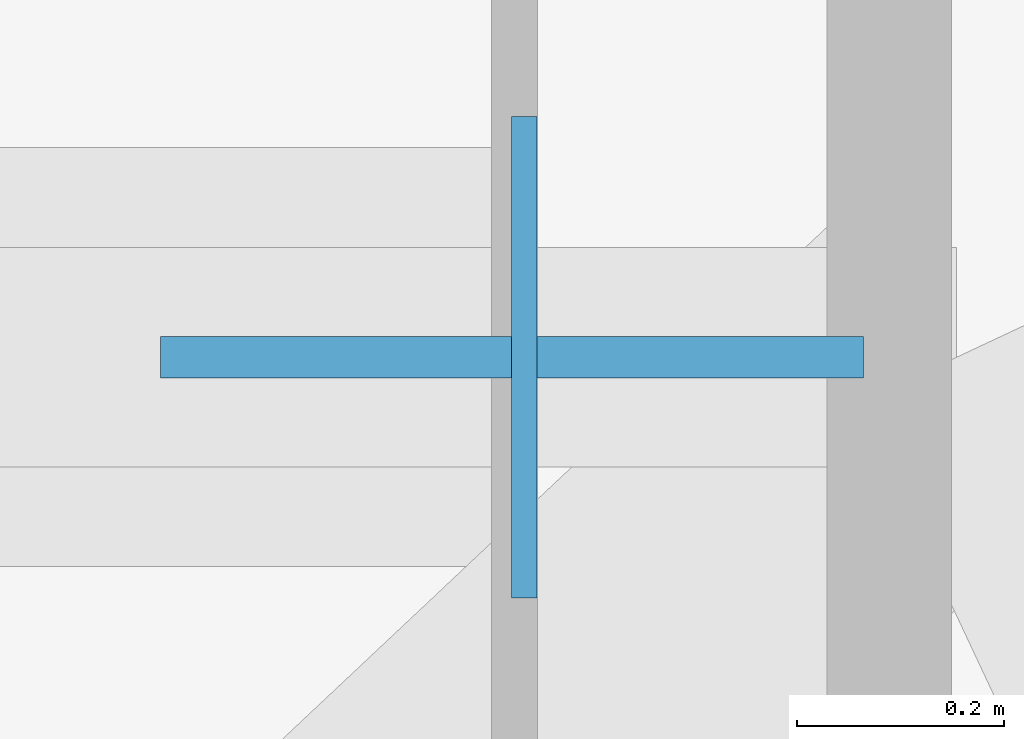
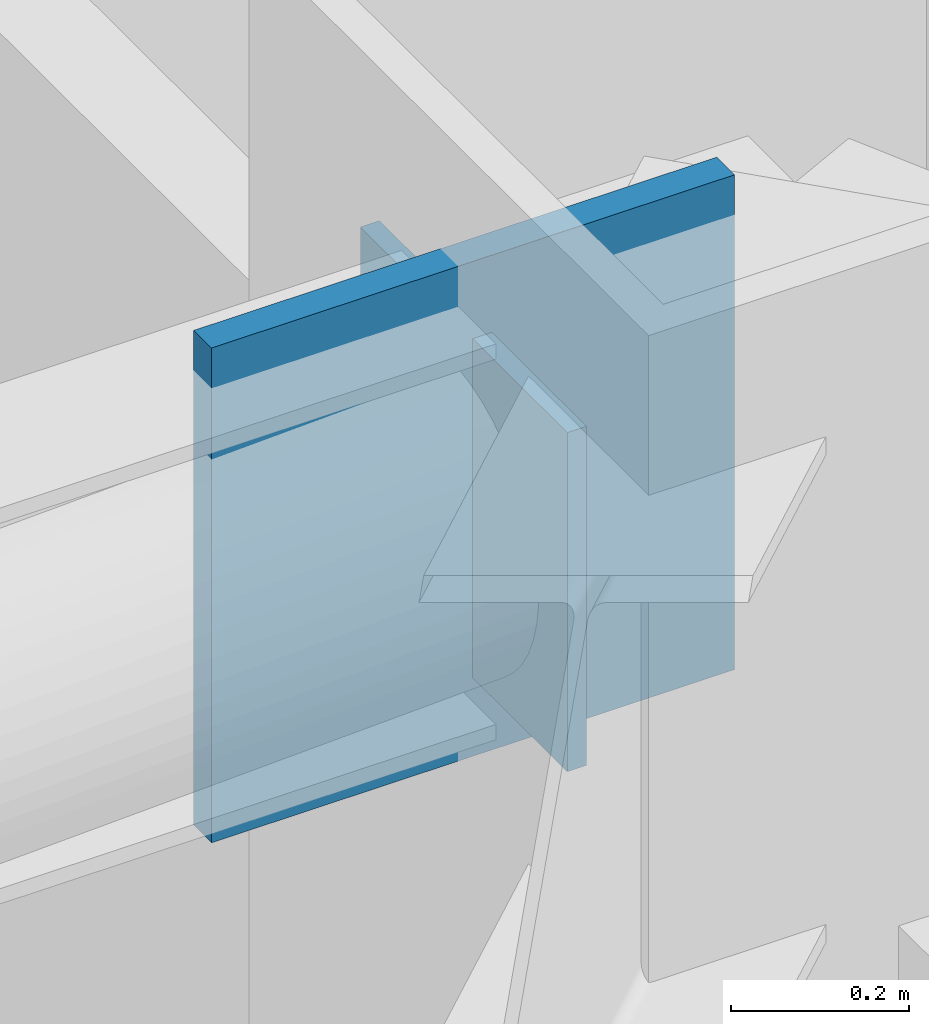
# One storey, part 4 of 12: 2 plates.
"""IFC4 building model written with IfcOpenShell, lengths in metres."""

from ifc_helpers import new_model, si_unit, direction, frame, origin, origin_2d, place, context, subcontext, project, spatial, rectangle, extrude, material, layer, layer_set, type_object, element, save


model = new_model("IFC4")

# Units and contexts
model_context = context("Model", 3, precision=1e-05, world=origin(), true_north=direction((0.0, 1.0)))
body_context = subcontext(model_context, "Body", "Model", "MODEL_VIEW")
ifc_project = project(units=[si_unit("LENGTHUNIT", "METRE"), si_unit("AREAUNIT", "SQUARE_METRE"), si_unit("VOLUMEUNIT", "CUBIC_METRE"), si_unit("PLANEANGLEUNIT", "RADIAN"), si_unit("MASSUNIT", "GRAM", prefix="KILO")], contexts=[model_context])

# Site, building, storey
site_placement = place(None, origin())
site = spatial("IfcSite", under=ifc_project, at=site_placement, CompositionType="ELEMENT")
building_placement = place(site_placement, origin())
building = spatial("IfcBuilding", under=site, at=building_placement, Name="Khamvora Tower", CompositionType="ELEMENT")
storey_placement = place(building_placement, frame((0.0, 0.0, 188.75)))
storey = spatial("IfcBuildingStorey", under=building, at=storey_placement, Name="L48", CompositionType="ELEMENT", Elevation=188.75)

# Plates
ifc_material_1 = material(Name="Steel S355", Category="steel")
ifc_layer_1 = layer(ifc_material_1, 0.02490234375)
ifc_layer_set_1 = layer_set([ifc_layer_1], Name="Steel S355")
plate_type_1 = type_object("IfcPlateType", Name="PL-CAP-25", PredefinedType="SHEET", material=ifc_layer_set_1)
plate_1_placement = place(storey_placement, frame((56.33203125, 44.5, 2.912109375), z_axis=(0.0, 0.0, 1.0), x_axis=(1.0, 0.0, 0.0)))
element("IfcPlate", 1, at=plate_1_placement, inside=storey, type_object=plate_type_1, Name="L48 hollow section steel end cap plate 0975", PredefinedType="SHEET", context=body_context, shape_type="SweptSolid", body=[
    extrude(rectangle(XDim=0.02490234375, YDim=0.466064453125, at=origin_2d()), origin(), (0.0, 0.0, 1.0), 0.466064453125),
])
ifc_material_2 = material(Name="Steel S460", Category="steel")
ifc_layer_2 = layer(ifc_material_2, 0.0400390625)
ifc_layer_set_2 = layer_set([ifc_layer_2], Name="Steel S460")
plate_type_2 = type_object("IfcPlateType", Name="PLT-GUS-40", PredefinedType="SHEET", material=ifc_layer_set_2)
plate_2_placement = place(storey_placement, frame((56.320068359375, 44.5, 2.80419921875), z_axis=(0.0, 0.0, 1.0), x_axis=(1.0, 0.0, 0.0)))
element("IfcPlate", 2, at=plate_2_placement, inside=storey, type_object=plate_type_2, Name="L48 brace connection node gusset plate 0312", PredefinedType="SHEET", context=body_context, shape_type="SweptSolid", body=[
    extrude(rectangle(XDim=0.679931640625, YDim=0.0400390625, at=origin_2d()), origin(), (0.0, 0.0, 1.0), 0.679931640625),
])

save(model, "model.ifc")
